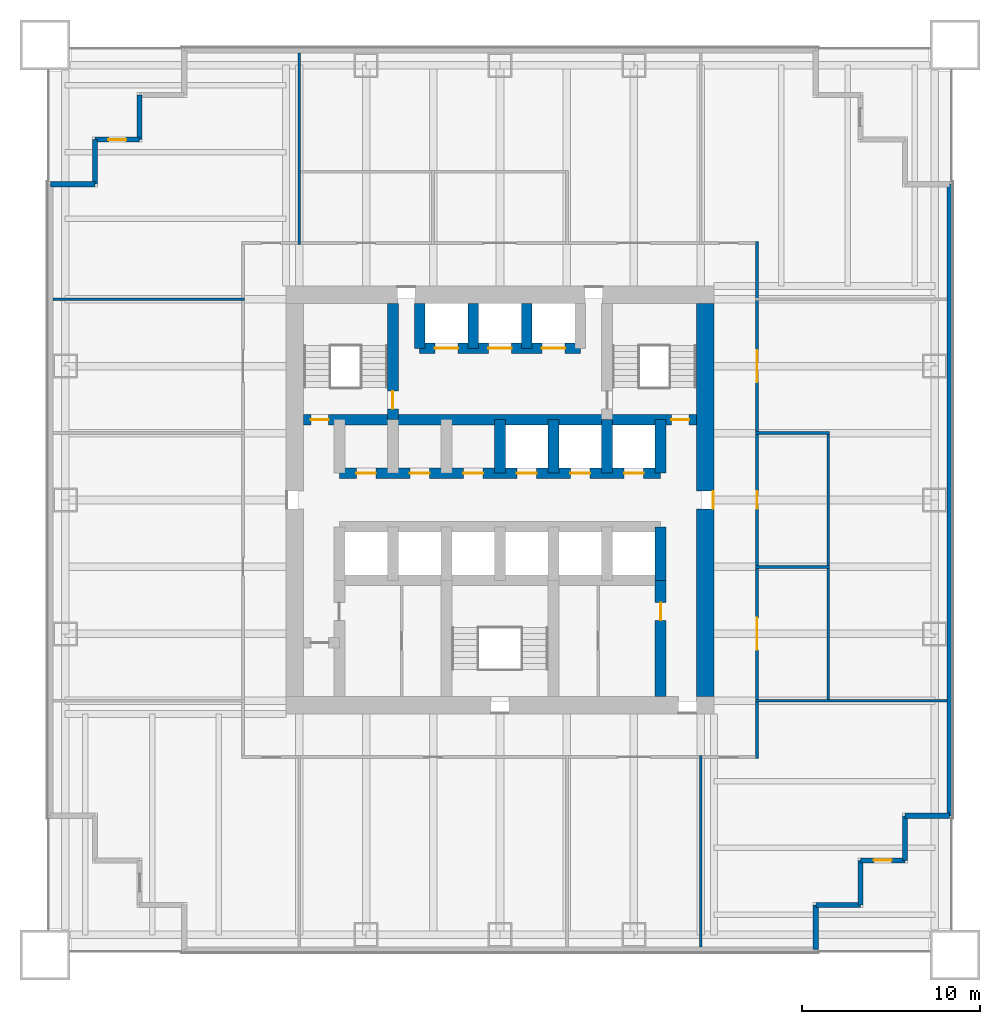
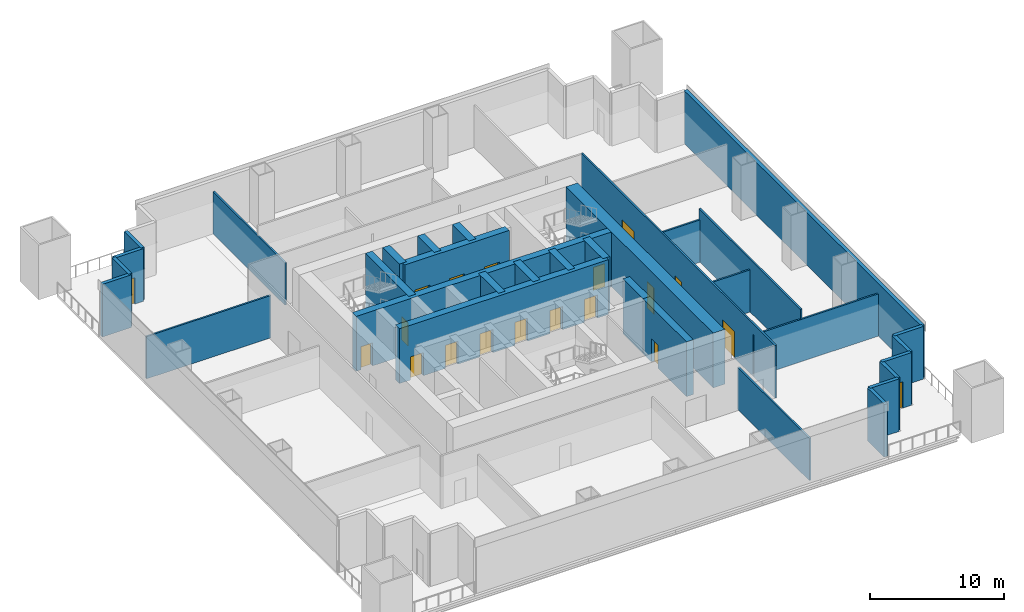
# One storey, part 3 of 6: 33 walls, 19 doors, 19 openings.
"""IFC4 building model written with IfcOpenShell, lengths in metres."""

from ifc_helpers import new_model, si_unit, direction, frame, frame_2d, origin, place, context, subcontext, project, spatial, rectangle, extrude, material, layer, layer_set, type_object, element, fill, save


model = new_model("IFC4")

# Units and contexts
model_context = context("Model", 3, precision=1e-05, world=origin(), true_north=direction((0.0, 1.0)))
body_context = subcontext(model_context, "Body", "Model", "MODEL_VIEW")
ifc_project = project(units=[si_unit("LENGTHUNIT", "METRE"), si_unit("AREAUNIT", "SQUARE_METRE"), si_unit("VOLUMEUNIT", "CUBIC_METRE"), si_unit("PLANEANGLEUNIT", "RADIAN"), si_unit("MASSUNIT", "GRAM", prefix="KILO")], contexts=[model_context])

# Site, building, storey
site_placement = place(None, origin())
site = spatial("IfcSite", under=ifc_project, at=site_placement, CompositionType="ELEMENT")
building_placement = place(site_placement, origin())
building = spatial("IfcBuilding", under=site, at=building_placement, Name="Tarangal Relay Tower", CompositionType="ELEMENT")
storey_placement = place(building_placement, frame((0.0, 0.0, 48.39990234375)))
storey = spatial("IfcBuildingStorey", under=building, at=storey_placement, Name="L09", CompositionType="ELEMENT", Elevation=48.39990234375)

# Wall, openings, doors
ifc_material_1 = material(Name="Concrete fc' 60 MPa", Category="concrete")
ifc_layer_1 = layer(ifc_material_1, 0.60009765625)
ifc_layer_set_1 = layer_set([ifc_layer_1], Name="Core inner wall 600")
wall_type_1 = type_object("IfcWallType", Name="Core inner wall 600", PredefinedType="SHEAR", material=ifc_layer_set_1)
wall_1_placement = place(storey_placement, frame((-11.0, 4.5, 0.0), z_axis=(0.0, 0.0, 1.0), x_axis=(1.0, 0.0, 0.0)))
wall_1 = element("IfcWall", 1, at=wall_1_placement, inside=storey, type_object=wall_type_1, Name="Core wall Y45 L09", PredefinedType="SHEAR", context=body_context, shape_type="SweptSolid", body=[
    extrude(rectangle(XDim=22.0, YDim=0.60009765625, at=frame_2d((11.0, 0.0))), origin(), (0.0, 0.0, 1.0), 5.0),
])
opening_1_placement = place(wall_1_placement, frame((0.39990234375, 0.0, 0.0)))
opening_1 = element("IfcOpeningElement", 2, at=opening_1_placement, cuts=wall_1, Name="Opening FD1", PredefinedType="OPENING", context=body_context, shape_type="SweptSolid", body=[
    extrude(rectangle(XDim=1.0, YDim=2.10009765625, at=frame_2d((0.5, 1.050048828125))), frame((0.0, 0.31005859375, 0.0), z_axis=(0.0, -1.0, 0.0), x_axis=(1.0, 0.0, 0.0)), (0.0, 0.0, 1.0), 0.6201171875),
])
opening_2_placement = place(wall_1_placement, frame((20.60009765625, 0.0, 0.0)))
opening_2 = element("IfcOpeningElement", 3, at=opening_2_placement, cuts=wall_1, Name="Opening FD1", PredefinedType="OPENING", context=body_context, shape_type="SweptSolid", body=[
    extrude(rectangle(XDim=1.0, YDim=2.10009765625, at=frame_2d((0.5, 1.050048828125))), frame((0.0, 0.31005859375, 0.0), z_axis=(0.0, -1.0, 0.0), x_axis=(1.0, 0.0, 0.0)), (0.0, 0.0, 1.0), 0.6201171875),
])
ifc_material_2 = material(Name="Steel door with hardwood frame", Category="steel")
door_type_1 = type_object("IfcDoorType", Name="Fire door 1000 x 2100", OperationType="SINGLE_SWING_LEFT", PredefinedType="DOOR", material=ifc_material_2)
door_1_placement = place(opening_1_placement, origin())
door_1 = element("IfcDoor", 4, at=door_1_placement, inside=storey, type_object=door_type_1, Name="Stair ST-A door from corridor L09", OperationType="SINGLE_SWING_LEFT", OverallHeight=2.10009765625, OverallWidth=1.0, PredefinedType="DOOR", context=body_context, shape_type="SweptSolid", body=[
    extrude(rectangle(XDim=1.0, YDim=2.10009765625, at=frame_2d((0.5, 1.050048828125))), frame((0.0, 0.02490234375, 0.0), z_axis=(0.0, -1.0, 0.0), x_axis=(1.0, 0.0, 0.0)), (0.0, 0.0, 1.0), 0.050048828125),
])
fill(opening_1, door_1)
door_2_placement = place(opening_2_placement, origin())
door_2 = element("IfcDoor", 5, at=door_2_placement, inside=storey, type_object=door_type_1, Name="Stair ST-B door from corridor L09", OperationType="SINGLE_SWING_LEFT", OverallHeight=2.10009765625, OverallWidth=1.0, PredefinedType="DOOR", context=body_context, shape_type="SweptSolid", body=[
    extrude(rectangle(XDim=1.0, YDim=2.10009765625, at=frame_2d((0.5, 1.050048828125))), frame((0.0, 0.02490234375, 0.0), z_axis=(0.0, -1.0, 0.0), x_axis=(1.0, 0.0, 0.0)), (0.0, 0.0, 1.0), 0.050048828125),
])
fill(opening_2, door_2)

wall_2_placement = place(storey_placement, frame((-9.0, 1.5, 0.0), z_axis=(0.0, 0.0, 1.0), x_axis=(1.0, 0.0, 0.0)))
wall_2 = element("IfcWall", 6, at=wall_2_placement, inside=storey, type_object=wall_type_1, Name="Core wall Y15 L09", PredefinedType="SHEAR", context=body_context, shape_type="SweptSolid", body=[
    extrude(rectangle(XDim=18.0, YDim=0.60009765625, at=frame_2d((9.0, 0.0))), origin(), (0.0, 0.0, 1.0), 5.0),
])
opening_3_placement = place(wall_2_placement, frame((9.949951171875, 0.0, 0.0)))
opening_3 = element("IfcOpeningElement", 7, at=opening_3_placement, cuts=wall_2, Name="Opening LD1", PredefinedType="OPENING", context=body_context, shape_type="SweptSolid", body=[
    extrude(rectangle(XDim=1.10009765625, YDim=2.10009765625, at=frame_2d((0.550048828125, 1.050048828125))), frame((0.0, 0.31005859375, 0.0), z_axis=(0.0, -1.0, 0.0), x_axis=(1.0, 0.0, 0.0)), (0.0, 0.0, 1.0), 0.6201171875),
])
opening_4_placement = place(wall_2_placement, frame((12.949951171875, 0.0, 0.0)))
opening_4 = element("IfcOpeningElement", 8, at=opening_4_placement, cuts=wall_2, Name="Opening LD1", PredefinedType="OPENING", context=body_context, shape_type="SweptSolid", body=[
    extrude(rectangle(XDim=1.10009765625, YDim=2.10009765625, at=frame_2d((0.550048828125, 1.050048828125))), frame((0.0, 0.31005859375, 0.0), z_axis=(0.0, -1.0, 0.0), x_axis=(1.0, 0.0, 0.0)), (0.0, 0.0, 1.0), 0.6201171875),
])
opening_5_placement = place(wall_2_placement, frame((15.949951171875, 0.0, 0.0)))
opening_5 = element("IfcOpeningElement", 9, at=opening_5_placement, cuts=wall_2, Name="Opening LD1", PredefinedType="OPENING", context=body_context, shape_type="SweptSolid", body=[
    extrude(rectangle(XDim=1.10009765625, YDim=2.10009765625, at=frame_2d((0.550048828125, 1.050048828125))), frame((0.0, 0.31005859375, 0.0), z_axis=(0.0, -1.0, 0.0), x_axis=(1.0, 0.0, 0.0)), (0.0, 0.0, 1.0), 0.6201171875),
])
opening_6_placement = place(wall_2_placement, frame((0.949951171875, 0.0, 0.0)))
opening_6 = element("IfcOpeningElement", 10, at=opening_6_placement, cuts=wall_2, Name="Opening D4", PredefinedType="OPENING", context=body_context, shape_type="SweptSolid", body=[
    extrude(rectangle(XDim=1.10009765625, YDim=2.10009765625, at=frame_2d((0.550048828125, 1.050048828125))), frame((0.0, 0.31005859375, 0.0), z_axis=(0.0, -1.0, 0.0), x_axis=(1.0, 0.0, 0.0)), (0.0, 0.0, 1.0), 0.6201171875),
])
opening_7_placement = place(wall_2_placement, frame((3.949951171875, 0.0, 0.0)))
opening_7 = element("IfcOpeningElement", 11, at=opening_7_placement, cuts=wall_2, Name="Opening D4", PredefinedType="OPENING", context=body_context, shape_type="SweptSolid", body=[
    extrude(rectangle(XDim=1.10009765625, YDim=2.10009765625, at=frame_2d((0.550048828125, 1.050048828125))), frame((0.0, 0.31005859375, 0.0), z_axis=(0.0, -1.0, 0.0), x_axis=(1.0, 0.0, 0.0)), (0.0, 0.0, 1.0), 0.6201171875),
])
opening_8_placement = place(wall_2_placement, frame((6.949951171875, 0.0, 0.0)))
opening_8 = element("IfcOpeningElement", 12, at=opening_8_placement, cuts=wall_2, Name="Opening D4", PredefinedType="OPENING", context=body_context, shape_type="SweptSolid", body=[
    extrude(rectangle(XDim=1.10009765625, YDim=2.10009765625, at=frame_2d((0.550048828125, 1.050048828125))), frame((0.0, 0.31005859375, 0.0), z_axis=(0.0, -1.0, 0.0), x_axis=(1.0, 0.0, 0.0)), (0.0, 0.0, 1.0), 0.6201171875),
])
door_type_2 = type_object("IfcDoorType", Name="Core room door 1100 x 2100", OperationType="SINGLE_SWING_RIGHT", PredefinedType="DOOR", material=ifc_material_2)
door_3_placement = place(opening_6_placement, origin())
door_3 = element("IfcDoor", 13, at=door_3_placement, inside=storey, type_object=door_type_2, Name="Door D4 to it room L09-D1", OperationType="SINGLE_SWING_RIGHT", OverallHeight=2.10009765625, OverallWidth=1.10009765625, PredefinedType="DOOR", context=body_context, shape_type="SweptSolid", body=[
    extrude(rectangle(XDim=1.10009765625, YDim=2.10009765625, at=frame_2d((0.550048828125, 1.050048828125))), frame((0.0, 0.02490234375, 0.0), z_axis=(0.0, -1.0, 0.0), x_axis=(1.0, 0.0, 0.0)), (0.0, 0.0, 1.0), 0.050048828125),
])
fill(opening_6, door_3)
door_4_placement = place(opening_7_placement, origin())
door_4 = element("IfcDoor", 14, at=door_4_placement, inside=storey, type_object=door_type_2, Name="Door D4 to back-of-house plant room L09-D2", OperationType="SINGLE_SWING_RIGHT", OverallHeight=2.10009765625, OverallWidth=1.10009765625, PredefinedType="DOOR", context=body_context, shape_type="SweptSolid", body=[
    extrude(rectangle(XDim=1.10009765625, YDim=2.10009765625, at=frame_2d((0.550048828125, 1.050048828125))), frame((0.0, 0.02490234375, 0.0), z_axis=(0.0, -1.0, 0.0), x_axis=(1.0, 0.0, 0.0)), (0.0, 0.0, 1.0), 0.050048828125),
])
fill(opening_7, door_4)
door_5_placement = place(opening_8_placement, origin())
door_5 = element("IfcDoor", 15, at=door_5_placement, inside=storey, type_object=door_type_2, Name="Door D4 to staff pantry L09-D3", OperationType="SINGLE_SWING_RIGHT", OverallHeight=2.10009765625, OverallWidth=1.10009765625, PredefinedType="DOOR", context=body_context, shape_type="SweptSolid", body=[
    extrude(rectangle(XDim=1.10009765625, YDim=2.10009765625, at=frame_2d((0.550048828125, 1.050048828125))), frame((0.0, 0.02490234375, 0.0), z_axis=(0.0, -1.0, 0.0), x_axis=(1.0, 0.0, 0.0)), (0.0, 0.0, 1.0), 0.050048828125),
])
fill(opening_8, door_5)
door_type_3 = type_object("IfcDoorType", Name="Lift landing door 1100 x 2100", OperationType="SLIDING_TO_LEFT", PredefinedType="DOOR", material=ifc_material_2)
door_6_placement = place(opening_3_placement, origin())
door_6 = element("IfcDoor", 16, at=door_6_placement, inside=storey, type_object=door_type_3, Name="Lift T1 landing door L09", OperationType="SLIDING_TO_LEFT", OverallHeight=2.10009765625, OverallWidth=1.10009765625, PredefinedType="DOOR", context=body_context, shape_type="SweptSolid", body=[
    extrude(rectangle(XDim=1.10009765625, YDim=2.10009765625, at=frame_2d((0.550048828125, 1.050048828125))), frame((0.0, 0.02490234375, 0.0), z_axis=(0.0, -1.0, 0.0), x_axis=(1.0, 0.0, 0.0)), (0.0, 0.0, 1.0), 0.050048828125),
])
fill(opening_3, door_6)
door_7_placement = place(opening_4_placement, origin())
door_7 = element("IfcDoor", 17, at=door_7_placement, inside=storey, type_object=door_type_3, Name="Lift T2 landing door L09", OperationType="SLIDING_TO_LEFT", OverallHeight=2.10009765625, OverallWidth=1.10009765625, PredefinedType="DOOR", context=body_context, shape_type="SweptSolid", body=[
    extrude(rectangle(XDim=1.10009765625, YDim=2.10009765625, at=frame_2d((0.550048828125, 1.050048828125))), frame((0.0, 0.02490234375, 0.0), z_axis=(0.0, -1.0, 0.0), x_axis=(1.0, 0.0, 0.0)), (0.0, 0.0, 1.0), 0.050048828125),
])
fill(opening_4, door_7)
door_8_placement = place(opening_5_placement, origin())
door_8 = element("IfcDoor", 18, at=door_8_placement, inside=storey, type_object=door_type_3, Name="Lift T3 landing door L09", OperationType="SLIDING_TO_LEFT", OverallHeight=2.10009765625, OverallWidth=1.10009765625, PredefinedType="DOOR", context=body_context, shape_type="SweptSolid", body=[
    extrude(rectangle(XDim=1.10009765625, YDim=2.10009765625, at=frame_2d((0.550048828125, 1.050048828125))), frame((0.0, 0.02490234375, 0.0), z_axis=(0.0, -1.0, 0.0), x_axis=(1.0, 0.0, 0.0)), (0.0, 0.0, 1.0), 0.050048828125),
])
fill(opening_5, door_8)

wall_3_placement = place(storey_placement, frame((-4.5, 8.5, 0.0), z_axis=(0.0, 0.0, 1.0), x_axis=(1.0, 0.0, 0.0)))
wall_3 = element("IfcWall", 19, at=wall_3_placement, inside=storey, type_object=wall_type_1, Name="Core wall Y85 L09", PredefinedType="SHEAR", context=body_context, shape_type="SweptSolid", body=[
    extrude(rectangle(XDim=9.0, YDim=0.60009765625, at=frame_2d((4.5, 0.0))), origin(), (0.0, 0.0, 1.0), 5.0),
])
opening_9_placement = place(wall_3_placement, frame((0.85009765625, 0.0, 0.0)))
opening_9 = element("IfcOpeningElement", 20, at=opening_9_placement, cuts=wall_3, Name="Opening LD2", PredefinedType="OPENING", context=body_context, shape_type="SweptSolid", body=[
    extrude(rectangle(XDim=1.300048828125, YDim=2.39990234375, at=frame_2d((0.64990234375, 1.199951171875))), frame((0.0, 0.31005859375, 0.0), z_axis=(0.0, -1.0, 0.0), x_axis=(1.0, 0.0, 0.0)), (0.0, 0.0, 1.0), 0.6201171875),
])
opening_10_placement = place(wall_3_placement, frame((6.85009765625, 0.0, 0.0)))
opening_10 = element("IfcOpeningElement", 21, at=opening_10_placement, cuts=wall_3, Name="Opening LD2", PredefinedType="OPENING", context=body_context, shape_type="SweptSolid", body=[
    extrude(rectangle(XDim=1.300048828125, YDim=2.39990234375, at=frame_2d((0.64990234375, 1.199951171875))), frame((0.0, 0.31005859375, 0.0), z_axis=(0.0, -1.0, 0.0), x_axis=(1.0, 0.0, 0.0)), (0.0, 0.0, 1.0), 0.6201171875),
])
opening_11_placement = place(wall_3_placement, frame((3.85009765625, 0.0, 0.0)))
opening_11 = element("IfcOpeningElement", 22, at=opening_11_placement, cuts=wall_3, Name="Opening LD2", PredefinedType="OPENING", context=body_context, shape_type="SweptSolid", body=[
    extrude(rectangle(XDim=1.300048828125, YDim=2.39990234375, at=frame_2d((0.64990234375, 1.199951171875))), frame((0.0, 0.31005859375, 0.0), z_axis=(0.0, -1.0, 0.0), x_axis=(1.0, 0.0, 0.0)), (0.0, 0.0, 1.0), 0.6201171875),
])
door_type_4 = type_object("IfcDoorType", Name="Lift landing door 1300 x 2400", OperationType="SLIDING_TO_LEFT", PredefinedType="DOOR", material=ifc_material_2)
door_9_placement = place(opening_9_placement, origin())
door_9 = element("IfcDoor", 23, at=door_9_placement, inside=storey, type_object=door_type_4, Name="Lift FF1 landing door L09", OperationType="SLIDING_TO_LEFT", OverallHeight=2.39990234375, OverallWidth=1.300048828125, PredefinedType="DOOR", context=body_context, shape_type="SweptSolid", body=[
    extrude(rectangle(XDim=1.300048828125, YDim=2.39990234375, at=frame_2d((0.64990234375, 1.199951171875))), frame((0.0, 0.02490234375, 0.0), z_axis=(0.0, -1.0, 0.0), x_axis=(1.0, 0.0, 0.0)), (0.0, 0.0, 1.0), 0.050048828125),
])
fill(opening_9, door_9)
door_10_placement = place(opening_10_placement, origin())
door_10 = element("IfcDoor", 24, at=door_10_placement, inside=storey, type_object=door_type_4, Name="Lift FF2 landing door L09", OperationType="SLIDING_TO_LEFT", OverallHeight=2.39990234375, OverallWidth=1.300048828125, PredefinedType="DOOR", context=body_context, shape_type="SweptSolid", body=[
    extrude(rectangle(XDim=1.300048828125, YDim=2.39990234375, at=frame_2d((0.64990234375, 1.199951171875))), frame((0.0, 0.02490234375, 0.0), z_axis=(0.0, -1.0, 0.0), x_axis=(1.0, 0.0, 0.0)), (0.0, 0.0, 1.0), 0.050048828125),
])
fill(opening_10, door_10)
door_11_placement = place(opening_11_placement, origin())
door_11 = element("IfcDoor", 25, at=door_11_placement, inside=storey, type_object=door_type_4, Name="Lift SV1 landing door L09", OperationType="SLIDING_TO_LEFT", OverallHeight=2.39990234375, OverallWidth=1.300048828125, PredefinedType="DOOR", context=body_context, shape_type="SweptSolid", body=[
    extrude(rectangle(XDim=1.300048828125, YDim=2.39990234375, at=frame_2d((0.64990234375, 1.199951171875))), frame((0.0, 0.02490234375, 0.0), z_axis=(0.0, -1.0, 0.0), x_axis=(1.0, 0.0, 0.0)), (0.0, 0.0, 1.0), 0.050048828125),
])
fill(opening_11, door_11)

# Walls
for number, where, z_axis, x_axis, name in (
    (26, (9.0, 1.5, 0.0), (0.0, 0.0, 1.0), (0.0, 1.0, 0.0), "Core wall X9N L09"),
    (27, (9.0, -4.5, 0.0), (0.0, 0.0, 1.0), (0.0, 1.0, 0.0), "Core wall X9S L09"),
    (28, (0.0, 1.5, 0.0), (0.0, 0.0, 1.0), (0.0, 1.0, 0.0), "Core wall X0N L09"),
    (29, (3.0, 1.5, 0.0), (0.0, 0.0, 1.0), (0.0, 1.0, 0.0), "Core wall X3N L09"),
    (30, (6.0, 1.5, 0.0), (0.0, 0.0, 1.0), (0.0, 1.0, 0.0), "Core wall X6N L09"),
):
    element("IfcWall", number, at=place(storey_placement, frame(where, z_axis=z_axis, x_axis=x_axis)), inside=storey, type_object=wall_type_1, Name=name, PredefinedType="SHEAR", context=body_context, shape_type="SweptSolid", body=[
        extrude(rectangle(XDim=3.0, YDim=0.60009765625, at=frame_2d((1.5, 0.0))), origin(), (0.0, 0.0, 1.0), 5.0),
    ])

# Wall, opening, door
wall_4_placement = place(storey_placement, frame((-6.0, 4.5, 0.0), z_axis=(0.0, 0.0, 1.0), x_axis=(0.0, 1.0, 0.0)))
wall_4 = element("IfcWall", 31, at=wall_4_placement, inside=storey, type_object=wall_type_1, Name="Core wall XM6 L09", PredefinedType="SHEAR", context=body_context, shape_type="SweptSolid", body=[
    extrude(rectangle(XDim=6.5, YDim=0.60009765625, at=frame_2d((3.25, 0.0))), origin(), (0.0, 0.0, 1.0), 5.0),
])
opening_12_placement = place(wall_4_placement, frame((0.60009765625, 0.0, 0.0)))
opening_12 = element("IfcOpeningElement", 32, at=opening_12_placement, cuts=wall_4, Name="Opening FD1", PredefinedType="OPENING", context=body_context, shape_type="SweptSolid", body=[
    extrude(rectangle(XDim=1.0, YDim=2.10009765625, at=frame_2d((0.5, 1.050048828125))), frame((0.0, 0.31005859375, 0.0), z_axis=(0.0, -1.0, 0.0), x_axis=(1.0, 0.0, 0.0)), (0.0, 0.0, 1.0), 0.6201171875),
])
door_12_placement = place(opening_12_placement, origin())
door_12 = element("IfcDoor", 33, at=door_12_placement, inside=storey, type_object=door_type_1, Name="Stair ST-A door from fire-fighting lobby L09", OperationType="SINGLE_SWING_LEFT", OverallHeight=2.10009765625, OverallWidth=1.0, PredefinedType="DOOR", context=body_context, shape_type="SweptSolid", body=[
    extrude(rectangle(XDim=1.0, YDim=2.10009765625, at=frame_2d((0.5, 1.050048828125))), frame((0.0, 0.02490234375, 0.0), z_axis=(0.0, -1.0, 0.0), x_axis=(1.0, 0.0, 0.0)), (0.0, 0.0, 1.0), 0.050048828125),
])
fill(opening_12, door_12)

# Walls
for number, where, z_axis, x_axis, name in (
    (34, (-4.5, 8.5, 0.0), (0.0, 0.0, 1.0), (0.0, 1.0, 0.0), "Core wall XM45 L09"),
    (35, (-1.5, 8.5, 0.0), (0.0, 0.0, 1.0), (0.0, 1.0, 0.0), "Core wall XM15 L09"),
    (36, (1.5, 8.5, 0.0), (0.0, 0.0, 1.0), (0.0, 1.0, 0.0), "Core wall X15 L09"),
):
    element("IfcWall", number, at=place(storey_placement, frame(where, z_axis=z_axis, x_axis=x_axis)), inside=storey, type_object=wall_type_1, Name=name, PredefinedType="SHEAR", context=body_context, shape_type="SweptSolid", body=[
        extrude(rectangle(XDim=2.5, YDim=0.60009765625, at=frame_2d((1.25, 0.0))), origin(), (0.0, 0.0, 1.0), 5.0),
    ])

# Wall, opening, door
wall_5_placement = place(storey_placement, frame((9.0, -11.0, 0.0), z_axis=(0.0, 0.0, 1.0), x_axis=(0.0, 1.0, 0.0)))
wall_5 = element("IfcWall", 37, at=wall_5_placement, inside=storey, type_object=wall_type_1, Name="Core wall X9W L09", PredefinedType="SHEAR", context=body_context, shape_type="SweptSolid", body=[
    extrude(rectangle(XDim=6.5, YDim=0.60009765625, at=frame_2d((3.25, 0.0))), origin(), (0.0, 0.0, 1.0), 5.0),
])
opening_13_placement = place(wall_5_placement, frame((4.25, 0.0, 0.0)))
opening_13 = element("IfcOpeningElement", 38, at=opening_13_placement, cuts=wall_5, Name="Opening D1", PredefinedType="OPENING", context=body_context, shape_type="SweptSolid", body=[
    extrude(rectangle(XDim=1.0, YDim=2.10009765625, at=frame_2d((0.5, 1.050048828125))), frame((0.0, 0.31005859375, 0.0), z_axis=(0.0, -1.0, 0.0), x_axis=(1.0, 0.0, 0.0)), (0.0, 0.0, 1.0), 0.6201171875),
])
ifc_material_3 = material(Name="Hardwood door", Category="wood")
door_type_5 = type_object("IfcDoorType", Name="WC door 1000 x 2100", OperationType="SINGLE_SWING_LEFT", PredefinedType="DOOR", material=ifc_material_3)
door_13_placement = place(opening_13_placement, origin())
door_13 = element("IfcDoor", 39, at=door_13_placement, inside=storey, type_object=door_type_5, Name="Female WC door L09", OperationType="SINGLE_SWING_LEFT", OverallHeight=2.10009765625, OverallWidth=1.0, PredefinedType="DOOR", context=body_context, shape_type="SweptSolid", body=[
    extrude(rectangle(XDim=1.0, YDim=2.10009765625, at=frame_2d((0.5, 1.050048828125))), frame((0.0, 0.02490234375, 0.0), z_axis=(0.0, -1.0, 0.0), x_axis=(1.0, 0.0, 0.0)), (0.0, 0.0, 1.0), 0.050048828125),
])
fill(opening_13, door_13)

ifc_layer_2 = layer(ifc_material_1, 1.0)
ifc_layer_set_2 = layer_set([ifc_layer_2], Name="Core wall 1000")
wall_type_2 = type_object("IfcWallType", Name="Core wall 1000", PredefinedType="SHEAR", material=ifc_layer_set_2)
wall_6_placement = place(storey_placement, frame((11.5, 11.0, 0.0), z_axis=(0.0, 0.0, 1.0), x_axis=(0.0, -1.0, 0.0)))
wall_6 = element("IfcWall", 40, at=wall_6_placement, inside=storey, type_object=wall_type_2, Name="Core wall E L09", PredefinedType="SHEAR", context=body_context, shape_type="SweptSolid", body=[
    extrude(rectangle(XDim=22.0, YDim=1.0, at=frame_2d((11.0, 0.0))), origin(), (0.0, 0.0, 1.0), 5.0),
])
opening_14_placement = place(wall_6_placement, frame((10.5, 0.0, 0.0)))
opening_14 = element("IfcOpeningElement", 41, at=opening_14_placement, cuts=wall_6, Name="Opening FD3", PredefinedType="OPENING", context=body_context, shape_type="SweptSolid", body=[
    extrude(rectangle(XDim=1.0, YDim=2.39990234375, at=frame_2d((0.5, 1.199951171875))), frame((0.0, 0.510009765625, 0.0), z_axis=(0.0, -1.0, 0.0), x_axis=(1.0, 0.0, 0.0)), (0.0, 0.0, 1.0), 1.02001953125),
])
door_type_6 = type_object("IfcDoorType", Name="Fire door 1000 x 2400 core entry", OperationType="SINGLE_SWING_RIGHT", PredefinedType="DOOR", material=ifc_material_2)
door_14_placement = place(opening_14_placement, origin())
door_14 = element("IfcDoor", 42, at=door_14_placement, inside=storey, type_object=door_type_6, Name="Core entry door east L09", OperationType="SINGLE_SWING_RIGHT", OverallHeight=2.39990234375, OverallWidth=1.0, PredefinedType="DOOR", context=body_context, shape_type="SweptSolid", body=[
    extrude(rectangle(XDim=1.0, YDim=2.39990234375, at=frame_2d((0.5, 1.199951171875))), frame((0.0, 0.48486328125, 0.0), z_axis=(0.0, -1.0, 0.0), x_axis=(1.0, 0.0, 0.0)), (0.0, 0.0, 1.0), 0.050048828125),
])
fill(opening_14, door_14)

# Walls
ifc_material_4 = material(Name="Insulated precast concrete fc' 40 MPa", Category="concrete")
ifc_layer_3 = layer(ifc_material_4, 0.300048828125)
ifc_layer_set_3 = layer_set([ifc_layer_3], Name="Insulated precast concrete fc' 40 MPa")
wall_type_3 = type_object("IfcWallType", Name="Facade wall precast 300", PredefinedType="SOLIDWALL", material=ifc_layer_set_3)
wall_7_placement = place(storey_placement, frame((25.199951171875, 17.699951171875, 0.0), z_axis=(0.0, 0.0, 1.0), x_axis=(0.0, -1.0, 0.0)))
element("IfcWall", 43, at=wall_7_placement, inside=storey, type_object=wall_type_3, Name="Facade wall E facade L09", PredefinedType="SOLIDWALL", context=body_context, shape_type="SweptSolid", body=[
    extrude(rectangle(XDim=35.39990234375, YDim=0.300048828125, at=frame_2d((17.699951171875, 0.0))), origin(), (0.0, 0.0, 1.0), 4.800048828125),
])
for number, where, z_axis, x_axis, name in (
    (44, (25.199951171875, -17.699951171875, 0.0), (0.0, 0.0, 1.0), (-1.0, 0.0, 0.0), "Facade wall E facade L09"),
    (45, (22.699951171875, -17.699951171875, 0.0), (0.0, 0.0, 1.0), (0.0, -1.0, 0.0), "Facade wall E facade L09"),
):
    element("IfcWall", number, at=place(storey_placement, frame(where, z_axis=z_axis, x_axis=x_axis)), inside=storey, type_object=wall_type_3, Name=name, PredefinedType="SOLIDWALL", context=body_context, shape_type="SweptSolid", body=[
        extrude(rectangle(XDim=2.5, YDim=0.300048828125, at=frame_2d((1.25, 0.0))), origin(), (0.0, 0.0, 1.0), 4.800048828125),
    ])

# Wall, opening, door
wall_8_placement = place(storey_placement, frame((22.699951171875, -20.199951171875, 0.0), z_axis=(0.0, 0.0, 1.0), x_axis=(-1.0, 0.0, 0.0)))
wall_8 = element("IfcWall", 46, at=wall_8_placement, inside=storey, type_object=wall_type_3, Name="Facade wall E facade L09", PredefinedType="SOLIDWALL", context=body_context, shape_type="SweptSolid", body=[
    extrude(rectangle(XDim=2.5, YDim=0.300048828125, at=frame_2d((1.25, 0.0))), origin(), (0.0, 0.0, 1.0), 4.800048828125),
])
opening_15_placement = place(wall_8_placement, frame((0.75, 0.0, 0.0)))
opening_15 = element("IfcOpeningElement", 47, at=opening_15_placement, cuts=wall_8, Name="Opening TD1", PredefinedType="OPENING", context=body_context, shape_type="SweptSolid", body=[
    extrude(rectangle(XDim=1.0, YDim=2.39990234375, at=frame_2d((0.5, 1.199951171875))), frame((0.0, 0.159912109375, 0.0), z_axis=(0.0, -1.0, 0.0), x_axis=(1.0, 0.0, 0.0)), (0.0, 0.0, 1.0), 0.320068359375),
])
ifc_material_5 = material(Name="Aluminium glazed door", Category="aluminium")
door_type_7 = type_object("IfcDoorType", Name="Terrace door 1000 x 2400", OperationType="SINGLE_SWING_RIGHT", PredefinedType="DOOR", material=ifc_material_5)
door_15_placement = place(opening_15_placement, origin())
door_15 = element("IfcDoor", 48, at=door_15_placement, inside=storey, type_object=door_type_7, Name="Terrace door TD1 SE L09", OperationType="SINGLE_SWING_RIGHT", OverallHeight=2.39990234375, OverallWidth=1.0, PredefinedType="DOOR", context=body_context, shape_type="SweptSolid", body=[
    extrude(rectangle(XDim=1.0, YDim=2.39990234375, at=frame_2d((0.5, 1.199951171875))), frame((0.0, 0.02490234375, 0.0), z_axis=(0.0, -1.0, 0.0), x_axis=(1.0, 0.0, 0.0)), (0.0, 0.0, 1.0), 0.050048828125),
])
fill(opening_15, door_15)

# Walls
for number, where, z_axis, x_axis, name in (
    (49, (20.199951171875, -20.199951171875, 0.0), (0.0, 0.0, 1.0), (0.0, -1.0, 0.0), "Facade wall E facade L09"),
    (50, (20.199951171875, -22.699951171875, 0.0), (0.0, 0.0, 1.0), (-1.0, 0.0, 0.0), "Facade wall E facade L09"),
    (51, (17.699951171875, -22.699951171875, 0.0), (0.0, 0.0, 1.0), (0.0, -1.0, 0.0), "Facade wall E facade L09"),
    (52, (-25.199951171875, 17.699951171875, 0.0), (0.0, 0.0, 1.0), (1.0, 0.0, 0.0), "Facade wall W facade L09"),
    (53, (-22.699951171875, 17.699951171875, 0.0), (0.0, 0.0, 1.0), (0.0, 1.0, 0.0), "Facade wall W facade L09"),
):
    element("IfcWall", number, at=place(storey_placement, frame(where, z_axis=z_axis, x_axis=x_axis)), inside=storey, type_object=wall_type_3, Name=name, PredefinedType="SOLIDWALL", context=body_context, shape_type="SweptSolid", body=[
        extrude(rectangle(XDim=2.5, YDim=0.300048828125, at=frame_2d((1.25, 0.0))), origin(), (0.0, 0.0, 1.0), 4.800048828125),
    ])

# Wall, opening, door
wall_9_placement = place(storey_placement, frame((-22.699951171875, 20.199951171875, 0.0), z_axis=(0.0, 0.0, 1.0), x_axis=(1.0, 0.0, 0.0)))
wall_9 = element("IfcWall", 54, at=wall_9_placement, inside=storey, type_object=wall_type_3, Name="Facade wall W facade L09", PredefinedType="SOLIDWALL", context=body_context, shape_type="SweptSolid", body=[
    extrude(rectangle(XDim=2.5, YDim=0.300048828125, at=frame_2d((1.25, 0.0))), origin(), (0.0, 0.0, 1.0), 4.800048828125),
])
opening_16_placement = place(wall_9_placement, frame((0.75, 0.0, 0.0)))
opening_16 = element("IfcOpeningElement", 55, at=opening_16_placement, cuts=wall_9, Name="Opening TD1", PredefinedType="OPENING", context=body_context, shape_type="SweptSolid", body=[
    extrude(rectangle(XDim=1.0, YDim=2.39990234375, at=frame_2d((0.5, 1.199951171875))), frame((0.0, 0.159912109375, 0.0), z_axis=(0.0, -1.0, 0.0), x_axis=(1.0, 0.0, 0.0)), (0.0, 0.0, 1.0), 0.320068359375),
])
door_16_placement = place(opening_16_placement, origin())
door_16 = element("IfcDoor", 56, at=door_16_placement, inside=storey, type_object=door_type_7, Name="Terrace door TD1 NW L09", OperationType="SINGLE_SWING_RIGHT", OverallHeight=2.39990234375, OverallWidth=1.0, PredefinedType="DOOR", context=body_context, shape_type="SweptSolid", body=[
    extrude(rectangle(XDim=1.0, YDim=2.39990234375, at=frame_2d((0.5, 1.199951171875))), frame((0.0, 0.02490234375, 0.0), z_axis=(0.0, -1.0, 0.0), x_axis=(1.0, 0.0, 0.0)), (0.0, 0.0, 1.0), 0.050048828125),
])
fill(opening_16, door_16)

# Walls
wall_10_placement = place(storey_placement, frame((-20.199951171875, 20.199951171875, 0.0), z_axis=(0.0, 0.0, 1.0), x_axis=(0.0, 1.0, 0.0)))
element("IfcWall", 57, at=wall_10_placement, inside=storey, type_object=wall_type_3, Name="Facade wall W facade L09", PredefinedType="SOLIDWALL", context=body_context, shape_type="SweptSolid", body=[
    extrude(rectangle(XDim=2.5, YDim=0.300048828125, at=frame_2d((1.25, 0.0))), origin(), (0.0, 0.0, 1.0), 4.800048828125),
])
ifc_material_6 = material(Name="Gypsum board on steel studs", Category="steel")
ifc_layer_4 = layer(ifc_material_6, 0.14990234375)
ifc_layer_set_4 = layer_set([ifc_layer_4], Name="Partition 150")
wall_type_4 = type_object("IfcWallType", Name="Partition 150", PredefinedType="PARTITIONING", material=ifc_layer_set_4)
wall_11_placement = place(storey_placement, frame((14.324951171875, -11.25, 0.0), z_axis=(0.0, 0.0, 1.0), x_axis=(1.0, 0.0, 0.0)))
element("IfcWall", 58, at=wall_11_placement, inside=storey, type_object=wall_type_4, Name="Partition PT1 L09", PredefinedType="PARTITIONING", context=body_context, shape_type="SweptSolid", body=[
    extrude(rectangle(XDim=10.72509765625, YDim=0.14990234375, at=frame_2d((5.362548828125, 0.0))), origin(), (0.0, 0.0, 1.0), 3.852783203125),
])
for number, where, z_axis, x_axis, name in (
    (59, (14.324951171875, -3.75, 0.0), (0.0, 0.0, 1.0), (1.0, 0.0, 0.0), "Partition PT1 L09"),
    (60, (14.324951171875, 3.75, 0.0), (0.0, 0.0, 1.0), (1.0, 0.0, 0.0), "Partition PT1 L09"),
):
    element("IfcWall", number, at=place(storey_placement, frame(where, z_axis=z_axis, x_axis=x_axis)), inside=storey, type_object=wall_type_4, Name=name, PredefinedType="PARTITIONING", context=body_context, shape_type="SweptSolid", body=[
        extrude(rectangle(XDim=4.150146484375, YDim=0.14990234375, at=frame_2d((2.0751953125, 0.0))), origin(), (0.0, 0.0, 1.0), 3.852783203125),
    ])
for number, where, z_axis, x_axis, name in (
    (61, (-25.050048828125, 11.25, 0.0), (0.0, 0.0, 1.0), (1.0, 0.0, 0.0), "Partition PT1 L09"),
    (62, (-11.25, 14.324951171875, 0.0), (0.0, 0.0, 1.0), (0.0, 1.0, 0.0), "Partition PT1 L09"),
    (63, (11.25, -25.050048828125, 0.0), (0.0, 0.0, 1.0), (0.0, 1.0, 0.0), "Partition PT1 L09"),
):
    element("IfcWall", number, at=place(storey_placement, frame(where, z_axis=z_axis, x_axis=x_axis)), inside=storey, type_object=wall_type_4, Name=name, PredefinedType="PARTITIONING", context=body_context, shape_type="SweptSolid", body=[
        extrude(rectangle(XDim=10.72509765625, YDim=0.14990234375, at=frame_2d((5.362548828125, 0.0))), origin(), (0.0, 0.0, 1.0), 3.852783203125),
    ])

# Wall, openings, doors
wall_12_placement = place(storey_placement, frame((14.39990234375, -14.47509765625, 0.0), z_axis=(0.0, 0.0, 1.0), x_axis=(0.0, 1.0, 0.0)))
wall_12 = element("IfcWall", 64, at=wall_12_placement, inside=storey, type_object=wall_type_4, Name="Partition PT1 L09", PredefinedType="PARTITIONING", context=body_context, shape_type="SweptSolid", body=[
    extrude(rectangle(XDim=28.9501953125, YDim=0.14990234375, at=frame_2d((14.47509765625, 0.0))), origin(), (0.0, 0.0, 1.0), 4.800048828125),
])
opening_17_placement = place(wall_12_placement, frame((21.074951171875, 0.0, 0.0)))
opening_17 = element("IfcOpeningElement", 65, at=opening_17_placement, cuts=wall_12, Name="Opening DD1", PredefinedType="OPENING", context=body_context, shape_type="SweptSolid", body=[
    extrude(rectangle(XDim=1.800048828125, YDim=2.39990234375, at=frame_2d((0.89990234375, 1.199951171875))), frame((0.0, 0.0849609375, 0.0), z_axis=(0.0, -1.0, 0.0), x_axis=(1.0, 0.0, 0.0)), (0.0, 0.0, 1.0), 0.169921875),
])
opening_18_placement = place(wall_12_placement, frame((13.97509765625, 0.0, 0.0)))
opening_18 = element("IfcOpeningElement", 66, at=opening_18_placement, cuts=wall_12, Name="Opening D2", PredefinedType="OPENING", context=body_context, shape_type="SweptSolid", body=[
    extrude(rectangle(XDim=1.0, YDim=2.10009765625, at=frame_2d((0.5, 1.050048828125))), frame((0.0, 0.0849609375, 0.0), z_axis=(0.0, -1.0, 0.0), x_axis=(1.0, 0.0, 0.0)), (0.0, 0.0, 1.0), 0.169921875),
])
opening_19_placement = place(wall_12_placement, frame((6.074951171875, 0.0, 0.0)))
opening_19 = element("IfcOpeningElement", 67, at=opening_19_placement, cuts=wall_12, Name="Opening DD1", PredefinedType="OPENING", context=body_context, shape_type="SweptSolid", body=[
    extrude(rectangle(XDim=1.800048828125, YDim=2.39990234375, at=frame_2d((0.89990234375, 1.199951171875))), frame((0.0, 0.0849609375, 0.0), z_axis=(0.0, -1.0, 0.0), x_axis=(1.0, 0.0, 0.0)), (0.0, 0.0, 1.0), 0.169921875),
])
door_type_8 = type_object("IfcDoorType", Name="Door 1000 x 2100", OperationType="SINGLE_SWING_LEFT", PredefinedType="DOOR", material=ifc_material_3)
door_17_placement = place(opening_18_placement, origin())
door_17 = element("IfcDoor", 68, at=door_17_placement, inside=storey, type_object=door_type_8, Name="Door D2 to customer meeting room L09-06", OperationType="SINGLE_SWING_LEFT", OverallHeight=2.10009765625, OverallWidth=1.0, PredefinedType="DOOR", context=body_context, shape_type="SweptSolid", body=[
    extrude(rectangle(XDim=1.0, YDim=2.10009765625, at=frame_2d((0.5, 1.050048828125))), frame((0.0, 0.02490234375, 0.0), z_axis=(0.0, -1.0, 0.0), x_axis=(1.0, 0.0, 0.0)), (0.0, 0.0, 1.0), 0.050048828125),
])
fill(opening_18, door_17)
door_type_9 = type_object("IfcDoorType", Name="Equipment double door 1800 x 2400", OperationType="DOUBLE_DOOR_SINGLE_SWING", PredefinedType="DOOR", material=ifc_material_2)
door_18_placement = place(opening_17_placement, origin())
door_18 = element("IfcDoor", 69, at=door_18_placement, inside=storey, type_object=door_type_9, Name="Door DD1 to data hall L09-05", OperationType="DOUBLE_DOOR_SINGLE_SWING", OverallHeight=2.39990234375, OverallWidth=1.800048828125, PredefinedType="DOOR", context=body_context, shape_type="SweptSolid", body=[
    extrude(rectangle(XDim=1.800048828125, YDim=2.39990234375, at=frame_2d((0.89990234375, 1.199951171875))), frame((0.0, 0.02490234375, 0.0), z_axis=(0.0, -1.0, 0.0), x_axis=(1.0, 0.0, 0.0)), (0.0, 0.0, 1.0), 0.050048828125),
])
fill(opening_17, door_18)
door_19_placement = place(opening_19_placement, origin())
door_19 = element("IfcDoor", 70, at=door_19_placement, inside=storey, type_object=door_type_9, Name="Door DD1 to meet-me room L09-07", OperationType="DOUBLE_DOOR_SINGLE_SWING", OverallHeight=2.39990234375, OverallWidth=1.800048828125, PredefinedType="DOOR", context=body_context, shape_type="SweptSolid", body=[
    extrude(rectangle(XDim=1.800048828125, YDim=2.39990234375, at=frame_2d((0.89990234375, 1.199951171875))), frame((0.0, 0.02490234375, 0.0), z_axis=(0.0, -1.0, 0.0), x_axis=(1.0, 0.0, 0.0)), (0.0, 0.0, 1.0), 0.050048828125),
])
fill(opening_19, door_19)

# Wall
wall_13_placement = place(storey_placement, frame((18.39990234375, -11.324951171875, 0.0), z_axis=(0.0, 0.0, 1.0), x_axis=(0.0, 1.0, 0.0)))
element("IfcWall", 71, at=wall_13_placement, inside=storey, type_object=wall_type_4, Name="Partition PT1 L09", PredefinedType="PARTITIONING", context=body_context, shape_type="SweptSolid", body=[
    extrude(rectangle(XDim=15.14990234375, YDim=0.14990234375, at=frame_2d((7.574951171875, 0.0))), origin(), (0.0, 0.0, 1.0), 4.800048828125),
])

save(model, "model.ifc")
